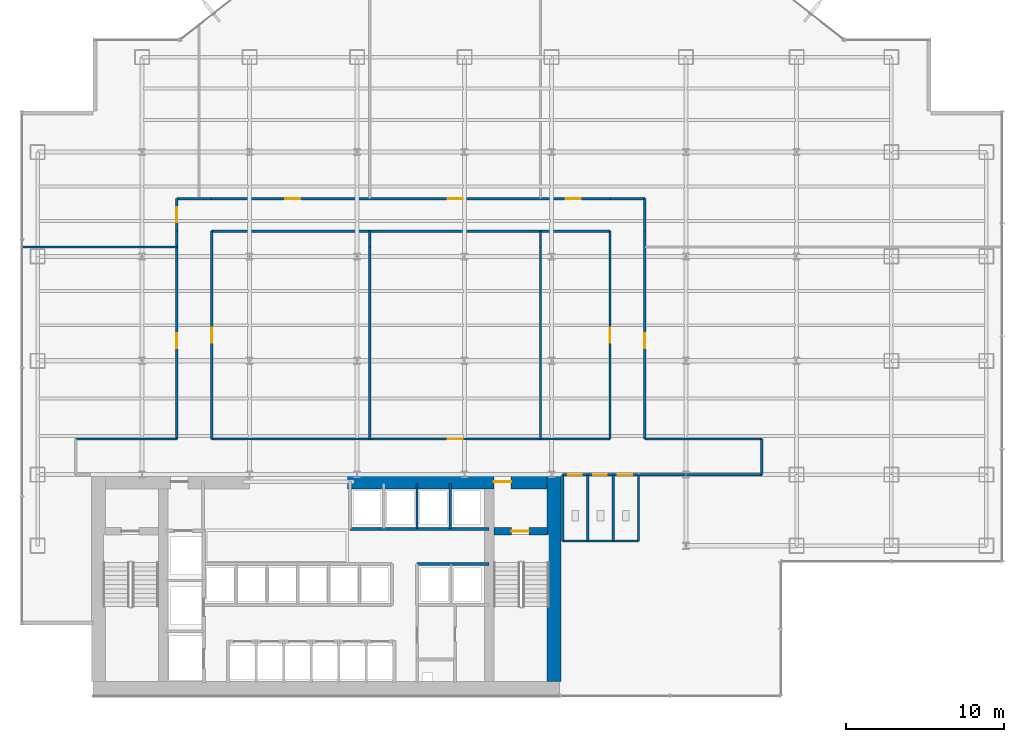
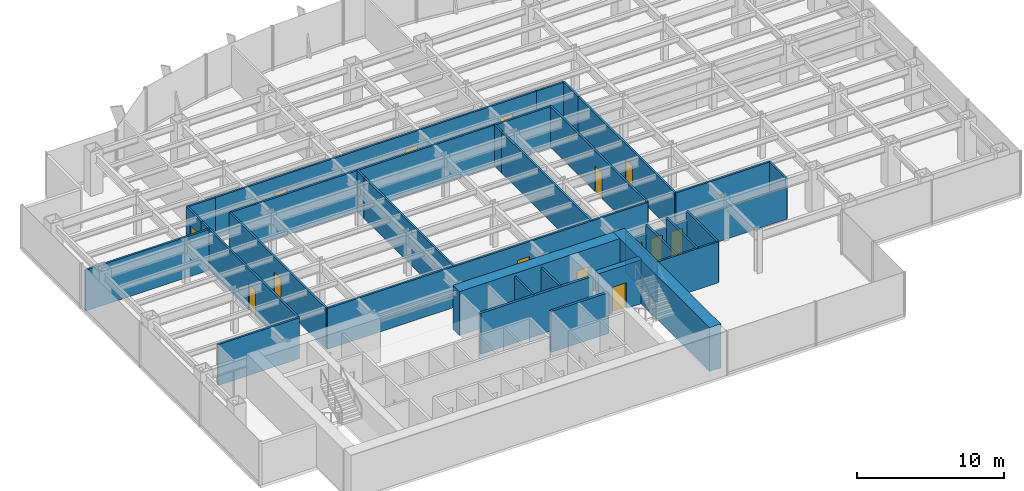
# One storey, part 18 of 22: 33 walls, 14 doors, 14 openings.
"""IFC4 building model written with IfcOpenShell, lengths in metres."""

import ifcopenshell
import ifcopenshell.guid

model = None  # the IFC model being written
_history = None  # IfcOwnerHistory: only IFC2X3 demands one
_inside = {}  # id of a spatial element -> (the spatial element, [elements in it])
_under = {}  # id of a project, library or spatial element -> (it, [spatial elements below it])
_declared = {}  # id of a project -> (the project, [libraries it declares])
_typed = {}  # id of a type object -> (the type object, [elements of that type])
_made_of = {}  # id of a material, layer set ... -> (it, [elements and type objects made of it])


def new_model(schema):
    """Start an empty IFC model of exactly this schema.

    Asked for "IFC4X3", IfcOpenShell would pick the latest addendum, in which some entities
    have other attributes; the version numbers below select the first issue.
    IFC2X3 requires an IfcOwnerHistory on every rooted entity: one is made here for all.
    """
    global model, _history
    if schema == "IFC4X3":
        model = ifcopenshell.file(schema_version=(4, 3, 0, 0))
    else:
        model = ifcopenshell.file(schema=schema)
    _inside.clear()
    _under.clear()
    _declared.clear()
    _typed.clear()
    _made_of.clear()
    _history = None
    if model.schema == "IFC2X3":
        org = make("IfcOrganization", Name="unknown")
        user = make(
            "IfcPersonAndOrganization",
            ThePerson=make("IfcPerson", FamilyName="unknown"),
            TheOrganization=org,
        )
        app = make(
            "IfcApplication",
            ApplicationDeveloper=org,
            Version="unknown",
            ApplicationFullName="unknown",
            ApplicationIdentifier="unknown",
        )
        _history = make(
            "IfcOwnerHistory",
            OwningUser=user,
            OwningApplication=app,
            ChangeAction="ADDED",
            CreationDate=0,
        )
    return model


def make(cls, **values):
    """One entity of the class cls with the attributes given. An attribute that is None is left unset."""
    return model.create_entity(
        cls, **{name: value for name, value in values.items() if value is not None}
    )


def rooted(cls, **values):
    """An entity with a GlobalId (a new one), such as an element, a storey or a relation."""
    return make(cls, GlobalId=ifcopenshell.guid.new(), OwnerHistory=_history, **values)


def si_unit(unit_type, name, prefix=None):
    """IfcSIUnit, for example si_unit("LENGTHUNIT", "METRE", prefix="MILLI")."""
    return make("IfcSIUnit", UnitType=unit_type, Prefix=prefix, Name=name)


def derived_unit(unit_type, elements):
    """IfcDerivedUnit: a product of units, each with its exponent."""
    return make(
        "IfcDerivedUnit",
        Elements=[
            make("IfcDerivedUnitElement", Unit=unit, Exponent=power)
            for unit, power in elements
        ],
        UnitType=unit_type,
    )


def assignment(units):
    """IfcUnitAssignment: the units of a project."""
    return None if units is None else make("IfcUnitAssignment", Units=units)


def point(xyz):
    """IfcCartesianPoint."""
    return None if xyz is None else make("IfcCartesianPoint", Coordinates=xyz)


def direction(xyz):
    """IfcDirection."""
    return None if xyz is None else make("IfcDirection", DirectionRatios=xyz)


def frame(location, z_axis=None, x_axis=None):
    """IfcAxis2Placement3D, a coordinate frame: its origin and axes. An axis left out is left unset."""
    return make(
        "IfcAxis2Placement3D",
        Location=point(location),
        Axis=direction(z_axis),
        RefDirection=direction(x_axis),
    )


def frame_2d(location, x_axis=None):
    """IfcAxis2Placement2D, a coordinate frame in the plane: its origin and x axis."""
    return make(
        "IfcAxis2Placement2D", Location=point(location), RefDirection=direction(x_axis)
    )


def origin():
    """The frame at (0, 0, 0) with its axes left unset."""
    return frame((0.0, 0.0, 0.0))


def place(relative_to, where):
    """IfcLocalPlacement: puts the frame where relative to a parent placement (None: the world)."""
    return make(
        "IfcLocalPlacement", PlacementRelTo=relative_to, RelativePlacement=where
    )


def context(
    kind, dimensions, precision=None, world=None, true_north=None, identifier=None
):
    """IfcGeometricRepresentationContext, for example the 3D "Model" context."""
    return make(
        "IfcGeometricRepresentationContext",
        ContextIdentifier=identifier,
        ContextType=kind,
        CoordinateSpaceDimension=dimensions,
        Precision=precision,
        WorldCoordinateSystem=world,
        TrueNorth=true_north,
    )


def subcontext(parent, identifier, kind, view, scale=None):
    """IfcGeometricRepresentationSubContext, for example "Body" below "Model"."""
    return make(
        "IfcGeometricRepresentationSubContext",
        ContextIdentifier=identifier,
        ContextType=kind,
        ParentContext=parent,
        TargetScale=scale,
        TargetView=view,
    )


def project(units=None, contexts=None):
    """IfcProject with its units and contexts."""
    return rooted(
        "IfcProject",
        Name="project",
        RepresentationContexts=contexts,
        UnitsInContext=assignment(units),
    )


def spatial(cls, under=None, at=None, **own):
    """A site, building, storey or space (cls), placed at a placement, below another one or the project."""
    s = rooted(cls, ObjectPlacement=at, **own)
    if under is not None:
        _under.setdefault(under.id(), (under, []))[1].append(s)
    return s


def profile(cls, at=None, kind="AREA", **sizes):
    """A parametric profile (cls). Its sizes go by their IFC names, for example OverallWidth=200.0."""
    return make(cls, ProfileType=kind, Position=at, **sizes)


def rectangle(**sizes):
    """IfcRectangleProfileDef."""
    return profile("IfcRectangleProfileDef", **sizes)


def extrude(swept, where, along, depth):
    """IfcExtrudedAreaSolid: the profile swept, set in the frame where, extruded along a direction by depth."""
    return make(
        "IfcExtrudedAreaSolid",
        SweptArea=swept,
        Position=where,
        ExtrudedDirection=direction(along),
        Depth=depth,
    )


def shape(context_of_items, identifier, shape_type, items):
    """IfcShapeRepresentation: the items that make up one representation, for example the "Body"."""
    return make(
        "IfcShapeRepresentation",
        ContextOfItems=context_of_items,
        RepresentationIdentifier=identifier,
        RepresentationType=shape_type,
        Items=items,
    )


def source(mapping_origin, context_of_items, identifier, shape_type, items):
    """IfcRepresentationMap: a shape defined once, which mapped items show again and again."""
    return make(
        "IfcRepresentationMap",
        MappingOrigin=mapping_origin,
        MappedRepresentation=shape(context_of_items, identifier, shape_type, items),
    )


def transform(
    local_origin,
    x_axis=None,
    y_axis=None,
    z_axis=None,
    scale=None,
    scale2=None,
    scale3=None,
    uniform=True,
):
    """IfcCartesianTransformationOperator3D, or its non-uniform kind. x_axis, y_axis, z_axis: its Axis1, 2, 3."""
    if uniform:
        return make(
            "IfcCartesianTransformationOperator3D",
            Axis1=direction(x_axis),
            Axis2=direction(y_axis),
            LocalOrigin=point(local_origin),
            Scale=scale,
            Axis3=direction(z_axis),
        )
    return make(
        "IfcCartesianTransformationOperator3DnonUniform",
        Axis1=direction(x_axis),
        Axis2=direction(y_axis),
        LocalOrigin=point(local_origin),
        Scale=scale,
        Axis3=direction(z_axis),
        Scale2=scale2,
        Scale3=scale3,
    )


def mapped(mapping_source, mapping_target):
    """IfcMappedItem: shows the shape of a source again, moved by a transform."""
    return make(
        "IfcMappedItem", MappingSource=mapping_source, MappingTarget=mapping_target
    )


def material(Name=None, Category=None):
    """IfcMaterial."""
    return make("IfcMaterial", Name=Name, Category=Category)


def layer(
    of_material, thickness, ventilated=None, Name=None, Category=None, Priority=None
):
    """IfcMaterialLayer: one layer of a wall or slab, of a material (None: an air gap)."""
    return make(
        "IfcMaterialLayer",
        Material=of_material,
        LayerThickness=thickness,
        IsVentilated=ventilated,
        Name=Name,
        Category=Category,
        Priority=Priority,
    )


def layer_set(layers, Name=None):
    """IfcMaterialLayerSet."""
    return make("IfcMaterialLayerSet", MaterialLayers=layers, LayerSetName=Name)


def made_of(thing, what):
    """Note that an element or type object is made of a material, layer set ...; save() writes the relation."""
    if what is not None:
        _made_of.setdefault(what.id(), (what, []))[1].append(thing)
    return thing


def type_object(cls, material=None, **own):
    """A type object (cls), such as IfcWallType, which elements share."""
    return made_of(rooted(cls, **own), material)


def element(
    cls,
    number,
    at=None,
    inside=None,
    cuts=None,
    type_object=None,
    material=None,
    context=None,
    identifier="Body",
    shape_type=None,
    held_by="IfcProductDefinitionShape",
    body=None,
    shapes=None,
    **own,
):
    """One element of the class cls, such as IfcWall. Its Tag is "e" and its number.

    at: its placement. inside: the storey or other place that contains it. cuts: it is an
    opening in that element (IfcRelVoidsElement). A single representation is given by context,
    identifier, shape_type and body (its items); several are given by shapes. held_by: the class
    of the entity that holds the representations. save() writes the other relations.
    """
    e = rooted(cls, Tag="e%d" % number, ObjectPlacement=at, **own)
    if body is not None:
        shapes = [shape(context, identifier, shape_type, body)]
    if shapes is not None:
        e.Representation = make(held_by, Representations=shapes)
    if inside is not None:
        _inside.setdefault(inside.id(), (inside, []))[1].append(e)
    if cuts is not None:
        rooted(
            "IfcRelVoidsElement", RelatingBuildingElement=cuts, RelatedOpeningElement=e
        )
    if type_object is not None:
        _typed.setdefault(type_object.id(), (type_object, []))[1].append(e)
    return made_of(e, material)


def fill(opening, filler):
    """IfcRelFillsElement: the door or window that sits in an opening."""
    return rooted(
        "IfcRelFillsElement",
        RelatingOpeningElement=opening,
        RelatedBuildingElement=filler,
    )


def aggregate(whole, parts):
    """IfcRelAggregates: a whole, such as a stair, and the parts it consists of."""
    return rooted("IfcRelAggregates", RelatingObject=whole, RelatedObjects=parts)


def save(model, path):
    """Write the relations noted so far, then the file.

    IfcRelAggregates (storeys below a building ...), IfcRelContainedInSpatialStructure (elements
    in a storey), IfcRelDefinesByType, IfcRelAssociatesMaterial and IfcRelDeclares: one each for
    every whole, place, type object, material and project.
    """
    for whole, parts in _under.values():
        aggregate(whole, parts)
    for where, things in _inside.values():
        rooted(
            "IfcRelContainedInSpatialStructure",
            RelatedElements=things,
            RelatingStructure=where,
        )
    for kind, things in _typed.values():
        rooted("IfcRelDefinesByType", RelatedObjects=things, RelatingType=kind)
    for what, things in _made_of.values():
        rooted("IfcRelAssociatesMaterial", RelatedObjects=things, RelatingMaterial=what)
    for by, libraries in _declared.values():
        rooted("IfcRelDeclares", RelatingContext=by, RelatedDefinitions=libraries)
    model.write(path)


model = new_model("IFC4")

# Units and contexts
model_context = context("Model", 3, precision=1e-05, world=origin(), true_north=direction((0.0, 1.0)))
body_context = subcontext(model_context, "Body", "Model", "MODEL_VIEW")
ifc_project = project(units=[si_unit("LENGTHUNIT", "METRE"), si_unit("AREAUNIT", "SQUARE_METRE"), si_unit("VOLUMEUNIT", "CUBIC_METRE"), si_unit("PLANEANGLEUNIT", "RADIAN"), si_unit("MASSUNIT", "GRAM", prefix="KILO"), derived_unit("THERMALTRANSMITTANCEUNIT", [(si_unit("POWERUNIT", "WATT"), 1), (si_unit("LENGTHUNIT", "METRE"), -2), (si_unit("THERMODYNAMICTEMPERATUREUNIT", "KELVIN"), -1)])], contexts=[model_context])

# Site, building, storey
site_placement = place(None, origin())
site = spatial("IfcSite", under=ifc_project, at=site_placement, CompositionType="ELEMENT")
building_placement = place(site_placement, origin())
building = spatial("IfcBuilding", under=site, at=building_placement, Name="Skarnbrae Concourse Arena and Tower", CompositionType="ELEMENT")
storey_placement = place(building_placement, frame((0.0, 0.0, 36.14990234375)))
storey = spatial("IfcBuildingStorey", under=building, at=storey_placement, Name="L07", CompositionType="ELEMENT", Elevation=36.14990234375)

# Wall
ifc_material_1 = material(Name="Concrete 70 MPa (C70/85)", Category="concrete")
ifc_layer_1 = layer(ifc_material_1, 0.89990234375)
ifc_layer_set_1 = layer_set([ifc_layer_1], Name="Concrete 70 MPa (C70/85)")
wall_type_1 = type_object("IfcWallType", Name="WALL-CORE-900-C70", PredefinedType="SHEAR", material=ifc_layer_set_1)
shared_shape_1 = source(origin(), body_context, "Body", "SweptSolid", [
    extrude(rectangle(XDim=13.10009765625, YDim=0.89990234375, at=frame_2d((6.550048828125, 0.0))), origin(), (0.0, 0.0, 1.0), 3.650146484375),
])
wall_1_placement = place(storey_placement, frame((33.64990234375, 0.89990234375, 0.0), z_axis=(0.0, 0.0, 1.0), x_axis=(0.0, 1.0, 0.0)))
element("IfcWall", 1, at=wall_1_placement, inside=storey, type_object=wall_type_1, Name="L07 Rear core shear wall CW-E", PredefinedType="SHEAR", context=body_context, shape_type="MappedRepresentation", body=[
    mapped(shared_shape_1, transform((0.0, 0.0, 0.0))),
])

# Wall, opening, door
shared_shape_2 = source(origin(), body_context, "Body", "SweptSolid", [
    extrude(rectangle(XDim=12.599853515625, YDim=0.89990234375, at=frame_2d((6.2998046875, 0.0))), origin(), (0.0, 0.0, 1.0), 3.650146484375),
])
wall_2_placement = place(storey_placement, frame((20.60009765625, 13.550048828125, 0.0), z_axis=(0.0, 0.0, 1.0), x_axis=(1.0, 0.0, 0.0)))
wall_2 = element("IfcWall", 2, at=wall_2_placement, inside=storey, type_object=wall_type_1, Name="L07 Rear core shear wall CW-NE", PredefinedType="SHEAR", context=body_context, shape_type="MappedRepresentation", body=[
    mapped(shared_shape_2, transform((0.0, 0.0, 0.0))),
])
opening_1_placement = place(wall_2_placement, frame((9.25, 0.0, 0.0)))
opening_1 = element("IfcOpeningElement", 3, at=opening_1_placement, cuts=wall_2, Name="Opening DT-03", PredefinedType="OPENING", context=body_context, shape_type="SweptSolid", body=[
    extrude(rectangle(XDim=1.10009765625, YDim=2.14990234375, at=frame_2d((0.550048828125, 1.074951171875))), frame((0.0, 0.4599609375, 0.0), z_axis=(0.0, -1.0, 0.0), x_axis=(1.0, 0.0, 0.0)), (0.0, 0.0, 1.0), 0.919921875),
])
ifc_material_2 = material(Name="Steel CSA G40.21 350W", Category="steel")
door_type_1 = type_object("IfcDoorType", Name="DOOR-FIRE-1100-90M", OperationType="NOTDEFINED", PredefinedType="DOOR", material=ifc_material_2)
shared_shape_3 = source(origin(), body_context, "Body", "SweptSolid", [
    extrude(rectangle(XDim=1.10009765625, YDim=2.14990234375, at=frame_2d((0.550048828125, 1.074951171875))), frame((0.0, 0.02490234375, 0.0), z_axis=(0.0, -1.0, 0.0), x_axis=(1.0, 0.0, 0.0)), (0.0, 0.0, 1.0), 0.050048828125),
])
door_1_placement = place(opening_1_placement, origin())
door_1 = element("IfcDoor", 4, at=door_1_placement, inside=storey, type_object=door_type_1, Name="D-0360 Stair ST-2 Vestibule Door", OperationType="SINGLE_SWING_LEFT", OverallHeight=2.14990234375, OverallWidth=1.10009765625, PredefinedType="DOOR", context=body_context, shape_type="MappedRepresentation", body=[
    mapped(shared_shape_3, transform((0.0, 0.0, 0.0))),
])
fill(opening_1, door_1)

ifc_material_3 = material(Name="Concrete 50 MPa (C50/60)", Category="concrete")
ifc_layer_2 = layer(ifc_material_3, 0.449951171875)
ifc_layer_set_2 = layer_set([ifc_layer_2], Name="Concrete 50 MPa (C50/60)")
wall_type_2 = type_object("IfcWallType", Name="WALL-CORE-450-C50", PredefinedType="SHEAR", material=ifc_layer_set_2)
shared_shape_4 = source(origin(), body_context, "Body", "SweptSolid", [
    extrude(rectangle(XDim=3.389892578125, YDim=0.449951171875, at=frame_2d((1.69482421875, 0.0))), origin(), (0.0, 0.0, 1.0), 3.650146484375),
])
wall_3_placement = place(storey_placement, frame((29.860107421875, 10.419921875, 0.0), z_axis=(0.0, 0.0, 1.0), x_axis=(1.0, 0.0, 0.0)))
wall_3 = element("IfcWall", 5, at=wall_3_placement, inside=storey, type_object=wall_type_2, Name="L07 Rear core shear wall CW-ST2-N", PredefinedType="SHEAR", context=body_context, shape_type="MappedRepresentation", body=[
    mapped(shared_shape_4, transform((0.0, 0.0, 0.0))),
])
opening_2_placement = place(wall_3_placement, frame((1.10009765625, 0.0, 0.0)))
opening_2 = element("IfcOpeningElement", 6, at=opening_2_placement, cuts=wall_3, Name="Opening DT-03", PredefinedType="OPENING", context=body_context, shape_type="SweptSolid", body=[
    extrude(rectangle(XDim=1.10009765625, YDim=2.14990234375, at=frame_2d((0.550048828125, 1.074951171875))), frame((0.0, 0.23486328125, 0.0), z_axis=(0.0, -1.0, 0.0), x_axis=(1.0, 0.0, 0.0)), (0.0, 0.0, 1.0), 0.469970703125),
])
door_2_placement = place(opening_2_placement, frame((1.10009765625, 0.0, 0.0), z_axis=(0.0, 0.0, 1.0), x_axis=(-1.0, 0.0, 0.0)))
door_2 = element("IfcDoor", 7, at=door_2_placement, inside=storey, type_object=door_type_1, Name="D-0358 Stair ST-2 Door", OperationType="SINGLE_SWING_RIGHT", OverallHeight=2.14990234375, OverallWidth=1.10009765625, PredefinedType="DOOR", context=body_context, shape_type="MappedRepresentation", body=[
    mapped(shared_shape_3, transform((0.0, 0.0, 0.0))),
])
fill(opening_2, door_2)

# Wall, openings, doors
ifc_material_4 = material(Name="Gypsum board on cold-formed steel studs", Category="steel")
ifc_layer_3 = layer(ifc_material_4, 0.14990234375)
ifc_layer_set_3 = layer_set([ifc_layer_3], Name="Gypsum board on cold-formed steel studs")
wall_type_3 = type_object("IfcWallType", Name="WALL-PART-150", PredefinedType="PARTITIONING", material=ifc_layer_set_3)
shared_shape_5 = source(origin(), body_context, "Body", "SweptSolid", [
    extrude(rectangle(XDim=4.800048828125, YDim=0.14990234375, at=frame_2d((2.39990234375, 0.0))), origin(), (0.0, 0.0, 1.0), 2.625),
])
wall_4_placement = place(storey_placement, frame((34.199951171875, 13.97998046875, 0.0), z_axis=(0.0, 0.0, 1.0), x_axis=(1.0, 0.0, 0.0)))
wall_4 = element("IfcWall", 8, at=wall_4_placement, inside=storey, type_object=wall_type_3, Name="L07 Interior partition wall W-L07-WC-N", PredefinedType="PARTITIONING", context=body_context, shape_type="MappedRepresentation", body=[
    mapped(shared_shape_5, transform((0.0, 0.0, 0.0))),
])
opening_3_placement = place(wall_4_placement, frame((0.35009765625, 0.0, 0.0)))
opening_3 = element("IfcOpeningElement", 9, at=opening_3_placement, cuts=wall_4, Name="Opening DT-06", PredefinedType="OPENING", context=body_context, shape_type="SweptSolid", body=[
    extrude(rectangle(XDim=0.85009765625, YDim=2.10009765625, at=frame_2d((0.425048828125, 1.050048828125))), frame((0.0, 0.0849609375, 0.0), z_axis=(0.0, -1.0, 0.0), x_axis=(1.0, 0.0, 0.0)), (0.0, 0.0, 1.0), 0.169921875),
])
opening_4_placement = place(wall_4_placement, frame((1.949951171875, 0.0, 0.0)))
opening_4 = element("IfcOpeningElement", 10, at=opening_4_placement, cuts=wall_4, Name="Opening DT-06", PredefinedType="OPENING", context=body_context, shape_type="SweptSolid", body=[
    extrude(rectangle(XDim=0.85009765625, YDim=2.10009765625, at=frame_2d((0.425048828125, 1.050048828125))), frame((0.0, 0.0849609375, 0.0), z_axis=(0.0, -1.0, 0.0), x_axis=(1.0, 0.0, 0.0)), (0.0, 0.0, 1.0), 0.169921875),
])
opening_5_placement = place(wall_4_placement, frame((3.5, 0.0, 0.0)))
opening_5 = element("IfcOpeningElement", 11, at=opening_5_placement, cuts=wall_4, Name="Opening DT-05", PredefinedType="OPENING", context=body_context, shape_type="SweptSolid", body=[
    extrude(rectangle(XDim=0.89990234375, YDim=2.10009765625, at=frame_2d((0.449951171875, 1.050048828125))), frame((0.0, 0.0849609375, 0.0), z_axis=(0.0, -1.0, 0.0), x_axis=(1.0, 0.0, 0.0)), (0.0, 0.0, 1.0), 0.169921875),
])
ifc_material_5 = material(Name="Architectural oak veneer timber leaf", Category="wood")
door_type_2 = type_object("IfcDoorType", Name="DOOR-INT-850", OperationType="NOTDEFINED", PredefinedType="DOOR", material=ifc_material_5)
shared_shape_6 = source(origin(), body_context, "Body", "SweptSolid", [
    extrude(rectangle(XDim=0.85009765625, YDim=2.10009765625, at=frame_2d((0.425048828125, 1.050048828125))), frame((0.0, 0.02490234375, 0.0), z_axis=(0.0, -1.0, 0.0), x_axis=(1.0, 0.0, 0.0)), (0.0, 0.0, 1.0), 0.050048828125),
])
door_3_placement = place(opening_3_placement, frame((0.85009765625, 0.0, 0.0), z_axis=(0.0, 0.0, 1.0), x_axis=(-1.0, 0.0, 0.0)))
door_3 = element("IfcDoor", 12, at=door_3_placement, inside=storey, type_object=door_type_2, Name="D-0372 Male Washroom Door", OperationType="SINGLE_SWING_LEFT", OverallHeight=2.10009765625, OverallWidth=0.85009765625, PredefinedType="DOOR", context=body_context, shape_type="MappedRepresentation", body=[
    mapped(shared_shape_6, transform((0.0, 0.0, 0.0))),
])
fill(opening_3, door_3)
door_4_placement = place(opening_4_placement, frame((0.85009765625, 0.0, 0.0), z_axis=(0.0, 0.0, 1.0), x_axis=(-1.0, 0.0, 0.0)))
door_4 = element("IfcDoor", 13, at=door_4_placement, inside=storey, type_object=door_type_2, Name="D-0373 Female Washroom Door", OperationType="SINGLE_SWING_RIGHT", OverallHeight=2.10009765625, OverallWidth=0.85009765625, PredefinedType="DOOR", context=body_context, shape_type="MappedRepresentation", body=[
    mapped(shared_shape_6, transform((0.0, 0.0, 0.0))),
])
fill(opening_4, door_4)
door_type_3 = type_object("IfcDoorType", Name="DOOR-INT-900", OperationType="NOTDEFINED", PredefinedType="DOOR", material=ifc_material_5)
shared_shape_7 = source(origin(), body_context, "Body", "SweptSolid", [
    extrude(rectangle(XDim=0.89990234375, YDim=2.10009765625, at=frame_2d((0.449951171875, 1.050048828125))), frame((0.0, 0.02490234375, 0.0), z_axis=(0.0, -1.0, 0.0), x_axis=(1.0, 0.0, 0.0)), (0.0, 0.0, 1.0), 0.050048828125),
])
door_5_placement = place(opening_5_placement, frame((0.89990234375, 0.0, 0.0), z_axis=(0.0, 0.0, 1.0), x_axis=(-1.0, 0.0, 0.0)))
door_5 = element("IfcDoor", 14, at=door_5_placement, inside=storey, type_object=door_type_3, Name="D-0374 Accessible WC Door", OperationType="SINGLE_SWING_LEFT", OverallHeight=2.10009765625, OverallWidth=0.89990234375, PredefinedType="DOOR", context=body_context, shape_type="MappedRepresentation", body=[
    mapped(shared_shape_7, transform((0.0, 0.0, 0.0))),
])
fill(opening_5, door_5)

# Walls
ifc_layer_4 = layer(ifc_material_4, 0.14990234375)
ifc_layer_set_4 = layer_set([ifc_layer_4], Name="Gypsum board on cold-formed steel studs")
wall_type_4 = type_object("IfcWallType", Name="WALL-PART-150-1HR", PredefinedType="PARTITIONING", material=ifc_layer_set_4)
shared_shape_8 = source(origin(), body_context, "Body", "SweptSolid", [
    extrude(rectangle(XDim=7.75, YDim=0.14990234375, at=frame_2d((3.875, 0.0))), origin(), (0.0, 0.0, 1.0), 2.625),
])
wall_5_placement = place(storey_placement, frame((46.800048828125, 14.0, 0.0), z_axis=(0.0, 0.0, 1.0), x_axis=(-1.0, 0.0, 0.0)))
element("IfcWall", 15, at=wall_5_placement, inside=storey, type_object=wall_type_4, Name="L07 Interior partition wall W-L07-COR-13", PredefinedType="PARTITIONING", context=body_context, shape_type="MappedRepresentation", body=[
    mapped(shared_shape_8, transform((0.0, 0.0, 0.0))),
])
ifc_layer_5 = layer(ifc_material_4, 0.199951171875)
ifc_layer_set_5 = layer_set([ifc_layer_5], Name="Gypsum board on cold-formed steel studs")
wall_type_5 = type_object("IfcWallType", Name="WALL-PART-200-2HR", PredefinedType="PARTITIONING", material=ifc_layer_set_5)
shared_shape_9 = source(origin(), body_context, "Body", "SweptSolid", [
    extrude(rectangle(XDim=8.800048828125, YDim=0.199951171875, at=frame_2d((4.39990234375, 0.0))), origin(), (0.0, 0.0, 1.0), 3.400146484375),
])
wall_6_placement = place(storey_placement, frame((20.75, 10.550048828125, 0.0), z_axis=(0.0, 0.0, 1.0), x_axis=(1.0, 0.0, 0.0)))
element("IfcWall", 16, at=wall_6_placement, inside=storey, type_object=wall_type_5, Name="L07 Interior partition wall W-L07-B3N-S", PredefinedType="PARTITIONING", context=body_context, shape_type="MappedRepresentation", body=[
    mapped(shared_shape_9, transform((0.0, 0.0, 0.0))),
])
shared_shape_10 = source(origin(), body_context, "Body", "SweptSolid", [
    extrude(rectangle(XDim=2.849853515625, YDim=0.14990234375, at=frame_2d((1.4248046875, 0.0))), origin(), (0.0, 0.0, 1.0), 3.400146484375),
])
for number, where, z_axis, x_axis, name in (
    (17, (24.989990234375, 10.60009765625, 0.0), (0.0, 0.0, 1.0), (0.0, 1.0, 0.0), "L07 Interior partition wall W-L07-B3N-P2"),
    (18, (27.090087890625, 10.60009765625, 0.0), (0.0, 0.0, 1.0), (0.0, 1.0, 0.0), "L07 Interior partition wall W-L07-B3N-P3"),
):
    element("IfcWall", number, at=place(storey_placement, frame(where, z_axis=z_axis, x_axis=x_axis)), inside=storey, type_object=wall_type_3, Name=name, PredefinedType="PARTITIONING", context=body_context, shape_type="MappedRepresentation", body=[
        mapped(shared_shape_10, transform((0.0, 0.0, 0.0))),
    ])
shared_shape_11 = source(origin(), body_context, "Body", "SweptSolid", [
    extrude(rectangle(XDim=4.550048828125, YDim=0.199951171875, at=frame_2d((2.27490234375, 0.0))), origin(), (0.0, 0.0, 1.0), 3.400146484375),
])
wall_7_placement = place(storey_placement, frame((25.0, 8.35009765625, 0.0), z_axis=(0.0, 0.0, 1.0), x_axis=(1.0, 0.0, 0.0)))
element("IfcWall", 19, at=wall_7_placement, inside=storey, type_object=wall_type_5, Name="L07 Interior partition wall W-L07-B3S-N", PredefinedType="PARTITIONING", context=body_context, shape_type="MappedRepresentation", body=[
    mapped(shared_shape_11, transform((0.0, 0.0, 0.0))),
])
shared_shape_12 = source(origin(), body_context, "Body", "SweptSolid", [
    extrude(rectangle(XDim=4.800048828125, YDim=0.14990234375, at=frame_2d((2.39990234375, 0.0))), origin(), (0.0, 0.0, 1.0), 3.400146484375),
])
wall_8_placement = place(storey_placement, frame((34.199951171875, 9.800048828125, 0.0), z_axis=(0.0, 0.0, 1.0), x_axis=(1.0, 0.0, 0.0)))
element("IfcWall", 20, at=wall_8_placement, inside=storey, type_object=wall_type_3, Name="L07 Interior partition wall W-L07-WC-S", PredefinedType="PARTITIONING", context=body_context, shape_type="MappedRepresentation", body=[
    mapped(shared_shape_12, transform((0.0, 0.0, 0.0))),
])
shared_shape_13 = source(origin(), body_context, "Body", "SweptSolid", [
    extrude(rectangle(XDim=4.179931640625, YDim=0.14990234375, at=frame_2d((2.08984375, 0.0))), origin(), (0.0, 0.0, 1.0), 3.400146484375),
])
for number, where, z_axis, x_axis, name in (
    (21, (39.0, 9.800048828125, 0.0), (0.0, 0.0, 1.0), (0.0, 1.0, 0.0), "L07 Interior partition wall W-L07-WC-E"),
    (22, (34.199951171875, 9.800048828125, 0.0), (0.0, 0.0, 1.0), (0.0, 1.0, 0.0), "L07 Interior partition wall W-L07-WC-W"),
    (23, (35.800048828125, 9.800048828125, 0.0), (0.0, 0.0, 1.0), (0.0, 1.0, 0.0), "L07 Interior partition wall W-L07-WC-D1"),
    (24, (37.39990234375, 9.800048828125, 0.0), (0.0, 0.0, 1.0), (0.0, 1.0, 0.0), "L07 Interior partition wall W-L07-WC-D2"),
):
    element("IfcWall", number, at=place(storey_placement, frame(where, z_axis=z_axis, x_axis=x_axis)), inside=storey, type_object=wall_type_3, Name=name, PredefinedType="PARTITIONING", context=body_context, shape_type="MappedRepresentation", body=[
        mapped(shared_shape_13, transform((0.0, 0.0, 0.0))),
    ])
shared_shape_14 = source(origin(), body_context, "Body", "SweptSolid", [
    extrude(rectangle(XDim=2.25, YDim=0.14990234375, at=frame_2d((1.125, 0.0))), origin(), (0.0, 0.0, 1.0), 3.400146484375),
])
wall_9_placement = place(storey_placement, frame((46.800048828125, 16.25, 0.0), z_axis=(0.0, 0.0, 1.0), x_axis=(0.0, -1.0, 0.0)))
element("IfcWall", 25, at=wall_9_placement, inside=storey, type_object=wall_type_4, Name="L07 Interior partition wall W-L07-COR-12", PredefinedType="PARTITIONING", context=body_context, shape_type="MappedRepresentation", body=[
    mapped(shared_shape_14, transform((0.0, 0.0, 0.0))),
])
shared_shape_15 = source(origin(), body_context, "Body", "SweptSolid", [
    extrude(rectangle(XDim=6.400146484375, YDim=0.14990234375, at=frame_2d((3.2001953125, 0.0))), origin(), (0.0, 0.0, 1.0), 3.400146484375),
])
wall_10_placement = place(storey_placement, frame((3.39990234375, 16.25, 0.0), z_axis=(0.0, 0.0, 1.0), x_axis=(1.0, 0.0, 0.0)))
element("IfcWall", 26, at=wall_10_placement, inside=storey, type_object=wall_type_4, Name="L07 Interior partition wall W-L07-COR-03", PredefinedType="PARTITIONING", context=body_context, shape_type="MappedRepresentation", body=[
    mapped(shared_shape_15, transform((0.0, 0.0, 0.0))),
])

# Wall, opening, door
shared_shape_16 = source(origin(), body_context, "Body", "SweptSolid", [
    extrude(rectangle(XDim=13.14990234375, YDim=0.14990234375, at=frame_2d((6.574951171875, 0.0))), origin(), (0.0, 0.0, 1.0), 3.400146484375),
])
wall_11_placement = place(storey_placement, frame((9.800048828125, 16.25, 0.0), z_axis=(0.0, 0.0, 1.0), x_axis=(0.0, 1.0, 0.0)))
wall_11 = element("IfcWall", 27, at=wall_11_placement, inside=storey, type_object=wall_type_4, Name="L07 Interior partition wall W-L07-COR-04", PredefinedType="PARTITIONING", context=body_context, shape_type="MappedRepresentation", body=[
    mapped(shared_shape_16, transform((0.0, 0.0, 0.0))),
])
opening_6_placement = place(wall_11_placement, frame((5.72998046875, 0.0, 0.0)))
opening_6 = element("IfcOpeningElement", 28, at=opening_6_placement, cuts=wall_11, Name="Opening DT-04", PredefinedType="OPENING", context=body_context, shape_type="SweptSolid", body=[
    extrude(rectangle(XDim=0.949951171875, YDim=2.14990234375, at=frame_2d((0.47509765625, 1.074951171875))), frame((0.0, 0.0849609375, 0.0), z_axis=(0.0, -1.0, 0.0), x_axis=(1.0, 0.0, 0.0)), (0.0, 0.0, 1.0), 0.169921875),
])
door_type_4 = type_object("IfcDoorType", Name="DOOR-INT-950-45M", OperationType="NOTDEFINED", PredefinedType="DOOR", material=ifc_material_2)
shared_shape_17 = source(origin(), body_context, "Body", "SweptSolid", [
    extrude(rectangle(XDim=0.949951171875, YDim=2.14990234375, at=frame_2d((0.47509765625, 1.074951171875))), frame((0.0, 0.02490234375, 0.0), z_axis=(0.0, -1.0, 0.0), x_axis=(1.0, 0.0, 0.0)), (0.0, 0.0, 1.0), 0.050048828125),
])
door_6_placement = place(opening_6_placement, origin())
door_6 = element("IfcDoor", 29, at=door_6_placement, inside=storey, type_object=door_type_4, Name="D-0375 L07 Suite Door 01", OperationType="SINGLE_SWING_LEFT", OverallHeight=2.14990234375, OverallWidth=0.949951171875, PredefinedType="DOOR", context=body_context, shape_type="MappedRepresentation", body=[
    mapped(shared_shape_17, transform((0.0, 0.0, 0.0))),
])
fill(opening_6, door_6)

wall_12_placement = place(storey_placement, frame((39.39990234375, 29.39990234375, 0.0), z_axis=(0.0, 0.0, 1.0), x_axis=(0.0, -1.0, 0.0)))
wall_12 = element("IfcWall", 30, at=wall_12_placement, inside=storey, type_object=wall_type_4, Name="L07 Interior partition wall W-L07-COR-10", PredefinedType="PARTITIONING", context=body_context, shape_type="MappedRepresentation", body=[
    mapped(shared_shape_16, transform((0.0, 0.0, 0.0))),
])
opening_7_placement = place(wall_12_placement, frame((6.469970703125, 0.0, 0.0)))
opening_7 = element("IfcOpeningElement", 31, at=opening_7_placement, cuts=wall_12, Name="Opening DT-04", PredefinedType="OPENING", context=body_context, shape_type="SweptSolid", body=[
    extrude(rectangle(XDim=0.949951171875, YDim=2.14990234375, at=frame_2d((0.47509765625, 1.074951171875))), frame((0.0, 0.0849609375, 0.0), z_axis=(0.0, -1.0, 0.0), x_axis=(1.0, 0.0, 0.0)), (0.0, 0.0, 1.0), 0.169921875),
])
door_7_placement = place(opening_7_placement, origin())
door_7 = element("IfcDoor", 32, at=door_7_placement, inside=storey, type_object=door_type_4, Name="D-0383 L07 Suite Door 09", OperationType="SINGLE_SWING_LEFT", OverallHeight=2.14990234375, OverallWidth=0.949951171875, PredefinedType="DOOR", context=body_context, shape_type="MappedRepresentation", body=[
    mapped(shared_shape_17, transform((0.0, 0.0, 0.0))),
])
fill(opening_7, door_7)

wall_13_placement = place(storey_placement, frame((37.199951171875, 16.25, 0.0), z_axis=(0.0, 0.0, 1.0), x_axis=(0.0, 1.0, 0.0)))
wall_13 = element("IfcWall", 33, at=wall_13_placement, inside=storey, type_object=wall_type_4, Name="L07 Interior partition wall W-L07-COR-15", PredefinedType="PARTITIONING", context=body_context, shape_type="MappedRepresentation", body=[
    mapped(shared_shape_16, transform((0.0, 0.0, 0.0))),
])
opening_8_placement = place(wall_13_placement, frame((6.10009765625, 0.0, 0.0)))
opening_8 = element("IfcOpeningElement", 34, at=opening_8_placement, cuts=wall_13, Name="Opening DT-04", PredefinedType="OPENING", context=body_context, shape_type="SweptSolid", body=[
    extrude(rectangle(XDim=0.949951171875, YDim=2.14990234375, at=frame_2d((0.47509765625, 1.074951171875))), frame((0.0, 0.0849609375, 0.0), z_axis=(0.0, -1.0, 0.0), x_axis=(1.0, 0.0, 0.0)), (0.0, 0.0, 1.0), 0.169921875),
])
door_8_placement = place(opening_8_placement, origin())
door_8 = element("IfcDoor", 35, at=door_8_placement, inside=storey, type_object=door_type_4, Name="D-0381 L07 Suite Door 07", OperationType="SINGLE_SWING_LEFT", OverallHeight=2.14990234375, OverallWidth=0.949951171875, PredefinedType="DOOR", context=body_context, shape_type="MappedRepresentation", body=[
    mapped(shared_shape_17, transform((0.0, 0.0, 0.0))),
])
fill(opening_8, door_8)

wall_14_placement = place(storey_placement, frame((12.0, 29.39990234375, 0.0), z_axis=(0.0, 0.0, 1.0), x_axis=(0.0, -1.0, 0.0)))
wall_14 = element("IfcWall", 36, at=wall_14_placement, inside=storey, type_object=wall_type_4, Name="L07 Interior partition wall W-L07-COR-17", PredefinedType="PARTITIONING", context=body_context, shape_type="MappedRepresentation", body=[
    mapped(shared_shape_16, transform((0.0, 0.0, 0.0))),
])
opening_9_placement = place(wall_14_placement, frame((6.10009765625, 0.0, 0.0)))
opening_9 = element("IfcOpeningElement", 37, at=opening_9_placement, cuts=wall_14, Name="Opening DT-04", PredefinedType="OPENING", context=body_context, shape_type="SweptSolid", body=[
    extrude(rectangle(XDim=0.949951171875, YDim=2.14990234375, at=frame_2d((0.47509765625, 1.074951171875))), frame((0.0, 0.0849609375, 0.0), z_axis=(0.0, -1.0, 0.0), x_axis=(1.0, 0.0, 0.0)), (0.0, 0.0, 1.0), 0.169921875),
])
door_9_placement = place(opening_9_placement, origin())
door_9 = element("IfcDoor", 38, at=door_9_placement, inside=storey, type_object=door_type_4, Name="D-0378 L07 Suite Door 04", OperationType="SINGLE_SWING_RIGHT", OverallHeight=2.14990234375, OverallWidth=0.949951171875, PredefinedType="DOOR", context=body_context, shape_type="MappedRepresentation", body=[
    mapped(shared_shape_17, transform((0.0, 0.0, 0.0))),
])
fill(opening_9, door_9)

shared_shape_18 = source(origin(), body_context, "Body", "SweptSolid", [
    extrude(rectangle(XDim=2.050048828125, YDim=0.14990234375, at=frame_2d((1.02490234375, 0.0))), origin(), (0.0, 0.0, 1.0), 3.400146484375),
])
wall_15_placement = place(storey_placement, frame((9.800048828125, 29.39990234375, 0.0), z_axis=(0.0, 0.0, 1.0), x_axis=(0.0, 1.0, 0.0)))
wall_15 = element("IfcWall", 39, at=wall_15_placement, inside=storey, type_object=wall_type_4, Name="L07 Interior partition wall W-L07-COR-05", PredefinedType="PARTITIONING", context=body_context, shape_type="MappedRepresentation", body=[
    mapped(shared_shape_18, transform((0.0, 0.0, 0.0))),
])
opening_10_placement = place(wall_15_placement, frame((0.550048828125, 0.0, 0.0)))
opening_10 = element("IfcOpeningElement", 40, at=opening_10_placement, cuts=wall_15, Name="Opening DT-04", PredefinedType="OPENING", context=body_context, shape_type="SweptSolid", body=[
    extrude(rectangle(XDim=0.949951171875, YDim=2.14990234375, at=frame_2d((0.47509765625, 1.074951171875))), frame((0.0, 0.0849609375, 0.0), z_axis=(0.0, -1.0, 0.0), x_axis=(1.0, 0.0, 0.0)), (0.0, 0.0, 1.0), 0.169921875),
])
door_10_placement = place(opening_10_placement, origin())
door_10 = element("IfcDoor", 41, at=door_10_placement, inside=storey, type_object=door_type_4, Name="D-0376 L07 Suite Door 02", OperationType="SINGLE_SWING_RIGHT", OverallHeight=2.14990234375, OverallWidth=0.949951171875, PredefinedType="DOOR", context=body_context, shape_type="MappedRepresentation", body=[
    mapped(shared_shape_17, transform((0.0, 0.0, 0.0))),
])
fill(opening_10, door_10)

# Walls
wall_16_placement = place(storey_placement, frame((39.39990234375, 31.449951171875, 0.0), z_axis=(0.0, 0.0, 1.0), x_axis=(0.0, -1.0, 0.0)))
element("IfcWall", 42, at=wall_16_placement, inside=storey, type_object=wall_type_4, Name="L07 Interior partition wall W-L07-COR-09", PredefinedType="PARTITIONING", context=body_context, shape_type="MappedRepresentation", body=[
    mapped(shared_shape_18, transform((0.0, 0.0, 0.0))),
])
shared_shape_19 = source(origin(), body_context, "Body", "SweptSolid", [
    extrude(rectangle(XDim=2.199951171875, YDim=0.14990234375, at=frame_2d((1.10009765625, 0.0))), origin(), (0.0, 0.0, 1.0), 3.400146484375),
])
for number, where, z_axis, x_axis, name in (
    (43, (9.800048828125, 31.449951171875, 0.0), (0.0, 0.0, 1.0), (1.0, 0.0, 0.0), "L07 Interior partition wall W-L07-COR-06"),
    (44, (37.199951171875, 31.449951171875, 0.0), (0.0, 0.0, 1.0), (1.0, 0.0, 0.0), "L07 Interior partition wall W-L07-COR-08"),
):
    element("IfcWall", number, at=place(storey_placement, frame(where, z_axis=z_axis, x_axis=x_axis)), inside=storey, type_object=wall_type_4, Name=name, PredefinedType="PARTITIONING", context=body_context, shape_type="MappedRepresentation", body=[
        mapped(shared_shape_19, transform((0.0, 0.0, 0.0))),
    ])

# Wall, openings, doors
shared_shape_20 = source(origin(), body_context, "Body", "SweptSolid", [
    extrude(rectangle(XDim=25.199951171875, YDim=0.14990234375, at=frame_2d((12.60009765625, 0.0))), origin(), (0.0, 0.0, 1.0), 3.400146484375),
])
wall_17_placement = place(storey_placement, frame((12.0, 31.449951171875, 0.0), z_axis=(0.0, 0.0, 1.0), x_axis=(1.0, 0.0, 0.0)))
wall_17 = element("IfcWall", 45, at=wall_17_placement, inside=storey, type_object=wall_type_4, Name="L07 Interior partition wall W-L07-COR-07", PredefinedType="PARTITIONING", context=body_context, shape_type="MappedRepresentation", body=[
    mapped(shared_shape_20, transform((0.0, 0.0, 0.0))),
])
opening_11_placement = place(wall_17_placement, frame((4.655029296875, 0.0, 0.0)))
opening_11 = element("IfcOpeningElement", 46, at=opening_11_placement, cuts=wall_17, Name="Opening DT-04", PredefinedType="OPENING", context=body_context, shape_type="SweptSolid", body=[
    extrude(rectangle(XDim=0.949951171875, YDim=2.14990234375, at=frame_2d((0.47509765625, 1.074951171875))), frame((0.0, 0.0849609375, 0.0), z_axis=(0.0, -1.0, 0.0), x_axis=(1.0, 0.0, 0.0)), (0.0, 0.0, 1.0), 0.169921875),
])
opening_12_placement = place(wall_17_placement, frame((14.925048828125, 0.0, 0.0)))
opening_12 = element("IfcOpeningElement", 47, at=opening_12_placement, cuts=wall_17, Name="Opening DT-04", PredefinedType="OPENING", context=body_context, shape_type="SweptSolid", body=[
    extrude(rectangle(XDim=0.949951171875, YDim=2.14990234375, at=frame_2d((0.47509765625, 1.074951171875))), frame((0.0, 0.0849609375, 0.0), z_axis=(0.0, -1.0, 0.0), x_axis=(1.0, 0.0, 0.0)), (0.0, 0.0, 1.0), 0.169921875),
])
opening_13_placement = place(wall_17_placement, frame((22.39501953125, 0.0, 0.0)))
opening_13 = element("IfcOpeningElement", 48, at=opening_13_placement, cuts=wall_17, Name="Opening DT-04", PredefinedType="OPENING", context=body_context, shape_type="SweptSolid", body=[
    extrude(rectangle(XDim=0.949951171875, YDim=2.14990234375, at=frame_2d((0.47509765625, 1.074951171875))), frame((0.0, 0.0849609375, 0.0), z_axis=(0.0, -1.0, 0.0), x_axis=(1.0, 0.0, 0.0)), (0.0, 0.0, 1.0), 0.169921875),
])
door_11_placement = place(opening_11_placement, origin())
door_11 = element("IfcDoor", 49, at=door_11_placement, inside=storey, type_object=door_type_4, Name="D-0377 L07 Suite Door 03", OperationType="SINGLE_SWING_LEFT", OverallHeight=2.14990234375, OverallWidth=0.949951171875, PredefinedType="DOOR", context=body_context, shape_type="MappedRepresentation", body=[
    mapped(shared_shape_17, transform((0.0, 0.0, 0.0))),
])
fill(opening_11, door_11)
door_12_placement = place(opening_12_placement, origin())
door_12 = element("IfcDoor", 50, at=door_12_placement, inside=storey, type_object=door_type_4, Name="D-0380 L07 Suite Door 06", OperationType="SINGLE_SWING_RIGHT", OverallHeight=2.14990234375, OverallWidth=0.949951171875, PredefinedType="DOOR", context=body_context, shape_type="MappedRepresentation", body=[
    mapped(shared_shape_17, transform((0.0, 0.0, 0.0))),
])
fill(opening_12, door_12)
door_13_placement = place(opening_13_placement, origin())
door_13 = element("IfcDoor", 51, at=door_13_placement, inside=storey, type_object=door_type_4, Name="D-0382 L07 Suite Door 08", OperationType="SINGLE_SWING_RIGHT", OverallHeight=2.14990234375, OverallWidth=0.949951171875, PredefinedType="DOOR", context=body_context, shape_type="MappedRepresentation", body=[
    mapped(shared_shape_17, transform((0.0, 0.0, 0.0))),
])
fill(opening_13, door_13)

# Wall, opening, door
wall_18_placement = place(storey_placement, frame((12.0, 16.25, 0.0), z_axis=(0.0, 0.0, 1.0), x_axis=(1.0, 0.0, 0.0)))
wall_18 = element("IfcWall", 52, at=wall_18_placement, inside=storey, type_object=wall_type_4, Name="L07 Interior partition wall W-L07-COR-14", PredefinedType="PARTITIONING", context=body_context, shape_type="MappedRepresentation", body=[
    mapped(shared_shape_20, transform((0.0, 0.0, 0.0))),
])
opening_14_placement = place(wall_18_placement, frame((14.925048828125, 0.0, 0.0)))
opening_14 = element("IfcOpeningElement", 53, at=opening_14_placement, cuts=wall_18, Name="Opening DT-04", PredefinedType="OPENING", context=body_context, shape_type="SweptSolid", body=[
    extrude(rectangle(XDim=0.949951171875, YDim=2.14990234375, at=frame_2d((0.47509765625, 1.074951171875))), frame((0.0, 0.0849609375, 0.0), z_axis=(0.0, -1.0, 0.0), x_axis=(1.0, 0.0, 0.0)), (0.0, 0.0, 1.0), 0.169921875),
])
door_14_placement = place(opening_14_placement, origin())
door_14 = element("IfcDoor", 54, at=door_14_placement, inside=storey, type_object=door_type_4, Name="D-0379 L07 Suite Door 05", OperationType="SINGLE_SWING_LEFT", OverallHeight=2.14990234375, OverallWidth=0.949951171875, PredefinedType="DOOR", context=body_context, shape_type="MappedRepresentation", body=[
    mapped(shared_shape_17, transform((0.0, 0.0, 0.0))),
])
fill(opening_14, door_14)

# Walls
wall_19_placement = place(storey_placement, frame((37.199951171875, 29.39990234375, 0.0), z_axis=(0.0, 0.0, 1.0), x_axis=(-1.0, 0.0, 0.0)))
element("IfcWall", 55, at=wall_19_placement, inside=storey, type_object=wall_type_4, Name="L07 Interior partition wall W-L07-COR-16", PredefinedType="PARTITIONING", context=body_context, shape_type="MappedRepresentation", body=[
    mapped(shared_shape_20, transform((0.0, 0.0, 0.0))),
])
shared_shape_21 = source(origin(), body_context, "Body", "SweptSolid", [
    extrude(rectangle(XDim=7.400146484375, YDim=0.14990234375, at=frame_2d((3.7001953125, 0.0))), origin(), (0.0, 0.0, 1.0), 3.400146484375),
])
wall_20_placement = place(storey_placement, frame((39.39990234375, 16.25, 0.0), z_axis=(0.0, 0.0, 1.0), x_axis=(1.0, 0.0, 0.0)))
element("IfcWall", 56, at=wall_20_placement, inside=storey, type_object=wall_type_4, Name="L07 Interior partition wall W-L07-COR-11", PredefinedType="PARTITIONING", context=body_context, shape_type="MappedRepresentation", body=[
    mapped(shared_shape_21, transform((0.0, 0.0, 0.0))),
])
shared_shape_22 = source(origin(), body_context, "Body", "SweptSolid", [
    extrude(rectangle(XDim=9.780029296875, YDim=0.14990234375, at=frame_2d((4.89013671875, 0.0))), origin(), (0.0, 0.0, 1.0), 3.400146484375),
])
wall_21_placement = place(storey_placement, frame((0.02001953125, 28.39990234375, 0.0), z_axis=(0.0, 0.0, 1.0), x_axis=(1.0, 0.0, 0.0)))
element("IfcWall", 57, at=wall_21_placement, inside=storey, type_object=wall_type_3, Name="L07 Interior partition wall W-L07-DEM-18", PredefinedType="PARTITIONING", context=body_context, shape_type="MappedRepresentation", body=[
    mapped(shared_shape_22, transform((0.0, 0.0, 0.0))),
])
shared_shape_23 = source(origin(), body_context, "Body", "SweptSolid", [
    extrude(rectangle(XDim=1.0, YDim=0.14990234375, at=frame_2d((0.5, 0.0))), origin(), (0.0, 0.0, 1.0), 3.400146484375),
])
for number, where, z_axis, x_axis, name in (
    (58, (22.0, 29.39990234375, 0.0), (0.0, 0.0, 1.0), (0.0, -1.0, 0.0), "L07 Interior partition wall W-L07-DEM-20"),
    (59, (32.800048828125, 29.39990234375, 0.0), (0.0, 0.0, 1.0), (0.0, -1.0, 0.0), "L07 Interior partition wall W-L07-DEM-23"),
):
    element("IfcWall", number, at=place(storey_placement, frame(where, z_axis=z_axis, x_axis=x_axis)), inside=storey, type_object=wall_type_3, Name=name, PredefinedType="PARTITIONING", context=body_context, shape_type="MappedRepresentation", body=[
        mapped(shared_shape_23, transform((0.0, 0.0, 0.0))),
    ])
shared_shape_24 = source(origin(), body_context, "Body", "SweptSolid", [
    extrude(rectangle(XDim=12.14990234375, YDim=0.14990234375, at=frame_2d((6.074951171875, 0.0))), origin(), (0.0, 0.0, 1.0), 3.400146484375),
])
for number, where, z_axis, x_axis, name in (
    (60, (22.0, 28.39990234375, 0.0), (0.0, 0.0, 1.0), (0.0, -1.0, 0.0), "L07 Interior partition wall W-L07-DEM-21"),
    (61, (32.800048828125, 28.39990234375, 0.0), (0.0, 0.0, 1.0), (0.0, -1.0, 0.0), "L07 Interior partition wall W-L07-DEM-24"),
):
    element("IfcWall", number, at=place(storey_placement, frame(where, z_axis=z_axis, x_axis=x_axis)), inside=storey, type_object=wall_type_3, Name=name, PredefinedType="PARTITIONING", context=body_context, shape_type="MappedRepresentation", body=[
        mapped(shared_shape_24, transform((0.0, 0.0, 0.0))),
    ])

save(model, "model.ifc")
